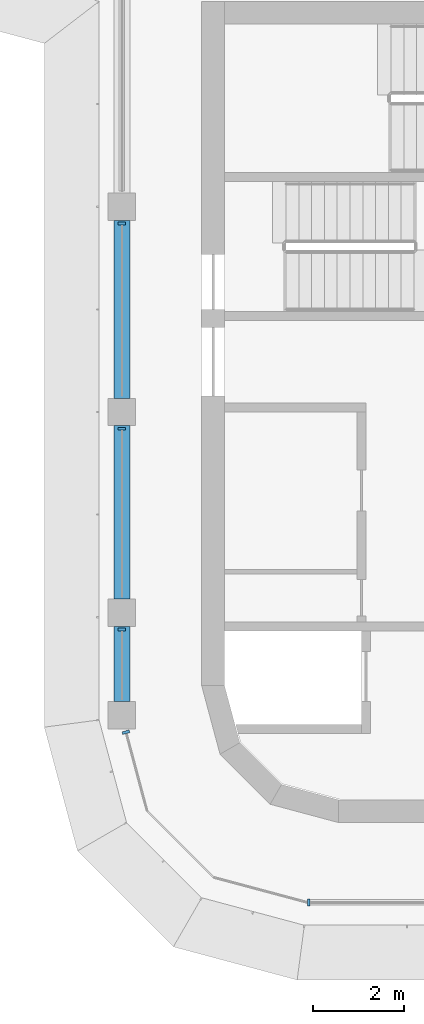
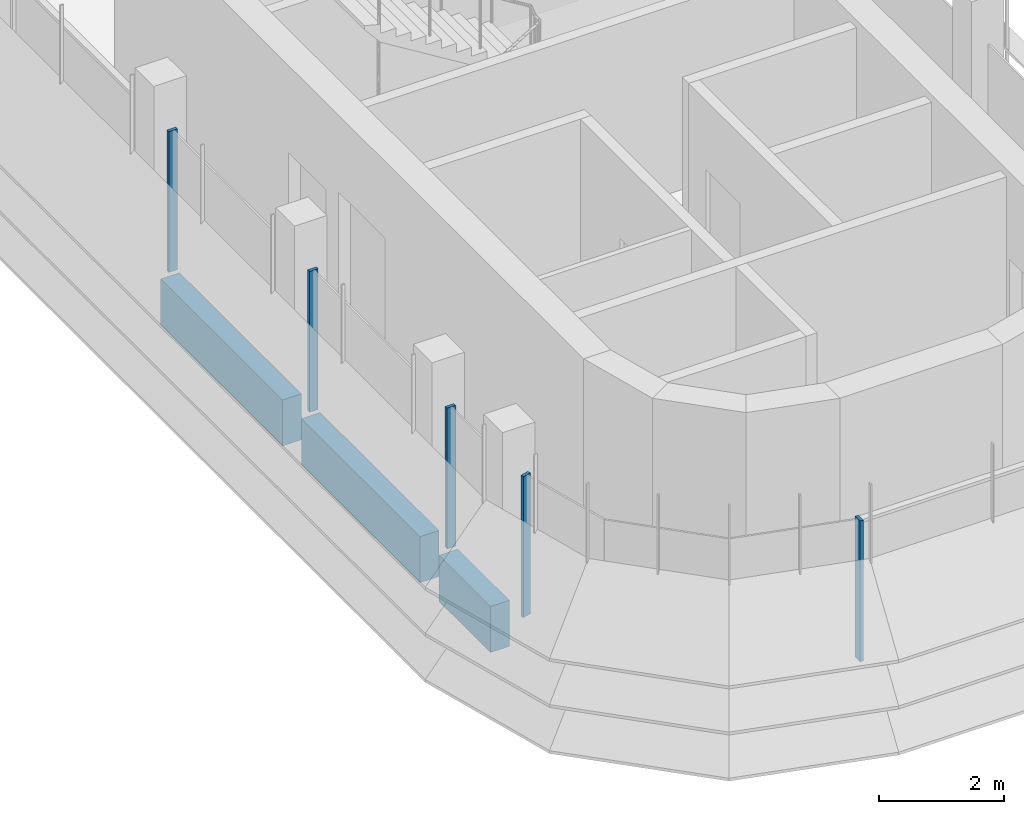
# One storey, part 2 of 19: 5 members, 3 beams, 3 elements without a shape of their own.
"""IFC4 building model written with IfcOpenShell, lengths in metres."""

import ifcopenshell
import ifcopenshell.guid

model = None  # the IFC model being written
_history = None  # IfcOwnerHistory: only IFC2X3 demands one
_inside = {}  # id of a spatial element -> (the spatial element, [elements in it])
_under = {}  # id of a project, library or spatial element -> (it, [spatial elements below it])
_declared = {}  # id of a project -> (the project, [libraries it declares])
_typed = {}  # id of a type object -> (the type object, [elements of that type])
_made_of = {}  # id of a material, layer set ... -> (it, [elements and type objects made of it])


def new_model(schema):
    """Start an empty IFC model of exactly this schema.

    Asked for "IFC4X3", IfcOpenShell would pick the latest addendum, in which some entities
    have other attributes; the version numbers below select the first issue.
    IFC2X3 requires an IfcOwnerHistory on every rooted entity: one is made here for all.
    """
    global model, _history
    if schema == "IFC4X3":
        model = ifcopenshell.file(schema_version=(4, 3, 0, 0))
    else:
        model = ifcopenshell.file(schema=schema)
    _inside.clear()
    _under.clear()
    _declared.clear()
    _typed.clear()
    _made_of.clear()
    _history = None
    if model.schema == "IFC2X3":
        org = make("IfcOrganization", Name="unknown")
        user = make(
            "IfcPersonAndOrganization",
            ThePerson=make("IfcPerson", FamilyName="unknown"),
            TheOrganization=org,
        )
        app = make(
            "IfcApplication",
            ApplicationDeveloper=org,
            Version="unknown",
            ApplicationFullName="unknown",
            ApplicationIdentifier="unknown",
        )
        _history = make(
            "IfcOwnerHistory",
            OwningUser=user,
            OwningApplication=app,
            ChangeAction="ADDED",
            CreationDate=0,
        )
    return model


def make(cls, **values):
    """One entity of the class cls with the attributes given. An attribute that is None is left unset."""
    return model.create_entity(
        cls, **{name: value for name, value in values.items() if value is not None}
    )


def rooted(cls, **values):
    """An entity with a GlobalId (a new one), such as an element, a storey or a relation."""
    return make(cls, GlobalId=ifcopenshell.guid.new(), OwnerHistory=_history, **values)


def si_unit(unit_type, name, prefix=None):
    """IfcSIUnit, for example si_unit("LENGTHUNIT", "METRE", prefix="MILLI")."""
    return make("IfcSIUnit", UnitType=unit_type, Prefix=prefix, Name=name)


def assignment(units):
    """IfcUnitAssignment: the units of a project."""
    return None if units is None else make("IfcUnitAssignment", Units=units)


def point(xyz):
    """IfcCartesianPoint."""
    return None if xyz is None else make("IfcCartesianPoint", Coordinates=xyz)


def direction(xyz):
    """IfcDirection."""
    return None if xyz is None else make("IfcDirection", DirectionRatios=xyz)


def frame(location, z_axis=None, x_axis=None):
    """IfcAxis2Placement3D, a coordinate frame: its origin and axes. An axis left out is left unset."""
    return make(
        "IfcAxis2Placement3D",
        Location=point(location),
        Axis=direction(z_axis),
        RefDirection=direction(x_axis),
    )


def frame_2d(location, x_axis=None):
    """IfcAxis2Placement2D, a coordinate frame in the plane: its origin and x axis."""
    return make(
        "IfcAxis2Placement2D", Location=point(location), RefDirection=direction(x_axis)
    )


def origin():
    """The frame at (0, 0, 0) with its axes left unset."""
    return frame((0.0, 0.0, 0.0))


def origin_2d():
    """The frame at (0, 0) in the plane with its x axis left unset."""
    return frame_2d((0.0, 0.0))


def place(relative_to, where):
    """IfcLocalPlacement: puts the frame where relative to a parent placement (None: the world)."""
    return make(
        "IfcLocalPlacement", PlacementRelTo=relative_to, RelativePlacement=where
    )


def context(
    kind, dimensions, precision=None, world=None, true_north=None, identifier=None
):
    """IfcGeometricRepresentationContext, for example the 3D "Model" context."""
    return make(
        "IfcGeometricRepresentationContext",
        ContextIdentifier=identifier,
        ContextType=kind,
        CoordinateSpaceDimension=dimensions,
        Precision=precision,
        WorldCoordinateSystem=world,
        TrueNorth=true_north,
    )


def subcontext(parent, identifier, kind, view, scale=None):
    """IfcGeometricRepresentationSubContext, for example "Body" below "Model"."""
    return make(
        "IfcGeometricRepresentationSubContext",
        ContextIdentifier=identifier,
        ContextType=kind,
        ParentContext=parent,
        TargetScale=scale,
        TargetView=view,
    )


def project(units=None, contexts=None):
    """IfcProject with its units and contexts."""
    return rooted(
        "IfcProject",
        Name="project",
        RepresentationContexts=contexts,
        UnitsInContext=assignment(units),
    )


def spatial(cls, under=None, at=None, **own):
    """A site, building, storey or space (cls), placed at a placement, below another one or the project."""
    s = rooted(cls, ObjectPlacement=at, **own)
    if under is not None:
        _under.setdefault(under.id(), (under, []))[1].append(s)
    return s


def polyline(points):
    """IfcPolyline through the points."""
    return make("IfcPolyline", Points=[point(p) for p in points])


def profile(cls, at=None, kind="AREA", **sizes):
    """A parametric profile (cls). Its sizes go by their IFC names, for example OverallWidth=200.0."""
    return make(cls, ProfileType=kind, Position=at, **sizes)


def rectangle(**sizes):
    """IfcRectangleProfileDef."""
    return profile("IfcRectangleProfileDef", **sizes)


def outline(outer, holes=None, kind="AREA"):
    """IfcArbitraryClosedProfileDef: a profile drawn as a closed curve; with holes, ...WithVoids."""
    if holes is None:
        return make("IfcArbitraryClosedProfileDef", ProfileType=kind, OuterCurve=outer)
    return make(
        "IfcArbitraryProfileDefWithVoids",
        ProfileType=kind,
        OuterCurve=outer,
        InnerCurves=holes,
    )


def extrude(swept, where, along, depth):
    """IfcExtrudedAreaSolid: the profile swept, set in the frame where, extruded along a direction by depth."""
    return make(
        "IfcExtrudedAreaSolid",
        SweptArea=swept,
        Position=where,
        ExtrudedDirection=direction(along),
        Depth=depth,
    )


def shape(context_of_items, identifier, shape_type, items):
    """IfcShapeRepresentation: the items that make up one representation, for example the "Body"."""
    return make(
        "IfcShapeRepresentation",
        ContextOfItems=context_of_items,
        RepresentationIdentifier=identifier,
        RepresentationType=shape_type,
        Items=items,
    )


def source(mapping_origin, context_of_items, identifier, shape_type, items):
    """IfcRepresentationMap: a shape defined once, which mapped items show again and again."""
    return make(
        "IfcRepresentationMap",
        MappingOrigin=mapping_origin,
        MappedRepresentation=shape(context_of_items, identifier, shape_type, items),
    )


def transform(
    local_origin,
    x_axis=None,
    y_axis=None,
    z_axis=None,
    scale=None,
    scale2=None,
    scale3=None,
    uniform=True,
):
    """IfcCartesianTransformationOperator3D, or its non-uniform kind. x_axis, y_axis, z_axis: its Axis1, 2, 3."""
    if uniform:
        return make(
            "IfcCartesianTransformationOperator3D",
            Axis1=direction(x_axis),
            Axis2=direction(y_axis),
            LocalOrigin=point(local_origin),
            Scale=scale,
            Axis3=direction(z_axis),
        )
    return make(
        "IfcCartesianTransformationOperator3DnonUniform",
        Axis1=direction(x_axis),
        Axis2=direction(y_axis),
        LocalOrigin=point(local_origin),
        Scale=scale,
        Axis3=direction(z_axis),
        Scale2=scale2,
        Scale3=scale3,
    )


def mapped(mapping_source, mapping_target):
    """IfcMappedItem: shows the shape of a source again, moved by a transform."""
    return make(
        "IfcMappedItem", MappingSource=mapping_source, MappingTarget=mapping_target
    )


def material(Name=None, Category=None):
    """IfcMaterial."""
    return make("IfcMaterial", Name=Name, Category=Category)


def material_profile(
    of_material, cross_section, Name=None, Category=None, Priority=None
):
    """IfcMaterialProfile: a cross section and its material."""
    return make(
        "IfcMaterialProfile",
        Name=Name,
        Material=of_material,
        Profile=cross_section,
        Priority=Priority,
        Category=Category,
    )


def profile_set(profiles, Name=None, composite=None):
    """IfcMaterialProfileSet."""
    return make(
        "IfcMaterialProfileSet",
        Name=Name,
        MaterialProfiles=profiles,
        CompositeProfile=composite,
    )


def made_of(thing, what):
    """Note that an element or type object is made of a material, layer set ...; save() writes the relation."""
    if what is not None:
        _made_of.setdefault(what.id(), (what, []))[1].append(thing)
    return thing


def type_object(cls, material=None, **own):
    """A type object (cls), such as IfcWallType, which elements share."""
    return made_of(rooted(cls, **own), material)


def element(
    cls,
    number,
    at=None,
    inside=None,
    cuts=None,
    type_object=None,
    material=None,
    context=None,
    identifier="Body",
    shape_type=None,
    held_by="IfcProductDefinitionShape",
    body=None,
    shapes=None,
    **own,
):
    """One element of the class cls, such as IfcWall. Its Tag is "e" and its number.

    at: its placement. inside: the storey or other place that contains it. cuts: it is an
    opening in that element (IfcRelVoidsElement). A single representation is given by context,
    identifier, shape_type and body (its items); several are given by shapes. held_by: the class
    of the entity that holds the representations. save() writes the other relations.
    """
    e = rooted(cls, Tag="e%d" % number, ObjectPlacement=at, **own)
    if body is not None:
        shapes = [shape(context, identifier, shape_type, body)]
    if shapes is not None:
        e.Representation = make(held_by, Representations=shapes)
    if inside is not None:
        _inside.setdefault(inside.id(), (inside, []))[1].append(e)
    if cuts is not None:
        rooted(
            "IfcRelVoidsElement", RelatingBuildingElement=cuts, RelatedOpeningElement=e
        )
    if type_object is not None:
        _typed.setdefault(type_object.id(), (type_object, []))[1].append(e)
    return made_of(e, material)


def aggregate(whole, parts):
    """IfcRelAggregates: a whole, such as a stair, and the parts it consists of."""
    return rooted("IfcRelAggregates", RelatingObject=whole, RelatedObjects=parts)


def save(model, path):
    """Write the relations noted so far, then the file.

    IfcRelAggregates (storeys below a building ...), IfcRelContainedInSpatialStructure (elements
    in a storey), IfcRelDefinesByType, IfcRelAssociatesMaterial and IfcRelDeclares: one each for
    every whole, place, type object, material and project.
    """
    for whole, parts in _under.values():
        aggregate(whole, parts)
    for where, things in _inside.values():
        rooted(
            "IfcRelContainedInSpatialStructure",
            RelatedElements=things,
            RelatingStructure=where,
        )
    for kind, things in _typed.values():
        rooted("IfcRelDefinesByType", RelatedObjects=things, RelatingType=kind)
    for what, things in _made_of.values():
        rooted("IfcRelAssociatesMaterial", RelatedObjects=things, RelatingMaterial=what)
    for by, libraries in _declared.values():
        rooted("IfcRelDeclares", RelatingContext=by, RelatedDefinitions=libraries)
    model.write(path)


model = new_model("IFC4")

# Units and contexts
model_context = context("Model", 3, precision=1e-05, world=origin(), true_north=direction((0.0, 1.0)))
body_context = subcontext(model_context, "Body", "Model", "MODEL_VIEW")
ifc_project = project(units=[si_unit("LENGTHUNIT", "METRE"), si_unit("AREAUNIT", "SQUARE_METRE"), si_unit("VOLUMEUNIT", "CUBIC_METRE"), si_unit("PLANEANGLEUNIT", "RADIAN"), si_unit("MASSUNIT", "GRAM", prefix="KILO")], contexts=[model_context])

# Site, building, storey
site_placement = place(None, origin())
site = spatial("IfcSite", under=ifc_project, at=site_placement, CompositionType="ELEMENT")
building_placement = place(site_placement, origin())
building = spatial("IfcBuilding", under=site, at=building_placement, Name="Zarbagh Exchange Tower", CompositionType="ELEMENT")
storey_placement = place(building_placement, frame((0.0, 0.0, 276.39990234375)))
storey = spatial("IfcBuildingStorey", under=building, at=storey_placement, Name="L68", CompositionType="ELEMENT", Elevation=276.39990234375)

# Beams
ifc_material_1 = material(Name="Concrete C40/50", Category="concrete")
ifc_material_profile = material_profile(ifc_material_1, rectangle(XDim=0.35009765625, YDim=0.89990234375, at=origin_2d()), Name="RC spandrel beam 350 x 900 C40/50")
ifc_profile_set = profile_set([ifc_material_profile], Name="Concrete C40/50")
beam_type = type_object("IfcBeamType", Name="RC spandrel beam 350 x 900 C40/50", PredefinedType="SPANDREL", material=ifc_profile_set)
beam_1_placement = place(storey_placement, frame((-6.25, -26.60009765625, -0.599853515625), z_axis=(0.0, 1.0, 0.0), x_axis=(-1.0, 0.0, 0.0)))
element("IfcBeam", 1, at=beam_1_placement, inside=storey, type_object=beam_type, Name="RC spandrel beam", PredefinedType="SPANDREL", context=body_context, shape_type="SweptSolid", body=[
    extrude(rectangle(XDim=0.35009765625, YDim=0.89990234375, at=origin_2d()), origin(), (0.0, 0.0, 1.0), 1.650146484375),
])
beam_2_placement = place(storey_placement, frame((-6.25, -24.35009765625, -0.599853515625), z_axis=(0.0, 1.0, 0.0), x_axis=(-1.0, 0.0, 0.0)))
element("IfcBeam", 2, at=beam_2_placement, inside=storey, type_object=beam_type, Name="RC spandrel beam", PredefinedType="SPANDREL", context=body_context, shape_type="SweptSolid", body=[
    extrude(rectangle(XDim=0.35009765625, YDim=0.89990234375, at=origin_2d()), origin(), (0.0, 0.0, 1.0), 3.800048828125),
])
beam_3_placement = place(storey_placement, frame((-6.25, -19.949951171875, -0.599853515625), z_axis=(0.0, 1.0, 0.0), x_axis=(-1.0, 0.0, 0.0)))
element("IfcBeam", 3, at=beam_3_placement, inside=storey, type_object=beam_type, Name="RC spandrel beam", PredefinedType="SPANDREL", context=body_context, shape_type="SweptSolid", body=[
    extrude(rectangle(XDim=0.35009765625, YDim=0.89990234375, at=origin_2d()), origin(), (0.0, 0.0, 1.0), 3.89990234375),
])

# Curtain wall, members
ifc_material_2 = material(Name="Anodised aluminium frame and glazing", Category="aluminium")
curtain_wall_type = type_object("IfcCurtainWallType", Name="CWB Ribbon glazing, upper zones", PredefinedType="NOTDEFINED", material=ifc_material_2)
curtain_wall_1_placement = place(storey_placement, origin())
curtain_wall_1 = element("IfcCurtainWall", 4, at=curtain_wall_1_placement, inside=storey, type_object=curtain_wall_type, Name="CWB53 curtain wall", PredefinedType="NOTDEFINED")
ifc_material_3 = material(Name="Anodised aluminium frame", Category="aluminium")
member_type = type_object("IfcMemberType", Name="MUB Mullion, anodised aluminium frame", PredefinedType="MULLION", material=ifc_material_3)
shared_shape = source(origin(), body_context, "Body", "SweptSolid", [
    extrude(outline(polyline([(0.0, -0.080078125), (0.06005859375, -0.080078125), (0.06005859375, 0.080078125), (0.0, 0.080078125), (0.0, -0.080078125)])), origin(), (0.0, 0.0, 1.0), 2.75),
])
placement = place(storey_placement, origin())
member_1 = element("IfcMember", 5, at=placement, type_object=member_type, Name="CWB53 mullion 2.1", PredefinedType="MULLION", context=body_context, shape_type="MappedRepresentation", body=[
    mapped(shared_shape, transform((-6.25, -16.090087890625, 0.0), x_axis=(0.0, -1.0, 0.0), y_axis=(1.0, 0.0, 0.0), z_axis=(0.0, 0.0, 1.0))),
])
member_2 = element("IfcMember", 6, at=placement, type_object=member_type, Name="CWB53 mullion 3.1", PredefinedType="MULLION", context=body_context, shape_type="MappedRepresentation", body=[
    mapped(shared_shape, transform((-6.25, -20.590087890625, 0.0), x_axis=(0.0, -1.0, 0.0), y_axis=(1.0, 0.0, 0.0), z_axis=(0.0, 0.0, 1.0))),
])
member_3 = element("IfcMember", 7, at=placement, type_object=member_type, Name="CWB53 mullion 4.1", PredefinedType="MULLION", context=body_context, shape_type="MappedRepresentation", body=[
    mapped(shared_shape, transform((-6.25, -24.989990234375, 0.0), x_axis=(0.0, -1.0, 0.0), y_axis=(1.0, 0.0, 0.0), z_axis=(0.0, 0.0, 1.0))),
])
aggregate(curtain_wall_1, [member_1, member_2, member_3])

# Curtain wall, member
curtain_wall_2_placement = place(storey_placement, origin())
curtain_wall_2 = element("IfcCurtainWall", 8, at=curtain_wall_2_placement, inside=storey, type_object=curtain_wall_type, Name="CWB54 curtain wall", PredefinedType="NOTDEFINED")
member_4 = element("IfcMember", 9, at=placement, type_object=member_type, Name="CWB54 mullion 1.1", PredefinedType="MULLION", context=body_context, shape_type="MappedRepresentation", body=[
    mapped(shared_shape, transform((-6.16796875, -27.239990234375, 0.0), x_axis=(0.258824779902, -0.965924289636, 0.0), y_axis=(0.965924289636, 0.258824779902, 0.0), z_axis=(0.0, 0.0, 1.0))),
])
aggregate(curtain_wall_2, [member_4])

curtain_wall_3_placement = place(storey_placement, origin())
curtain_wall_3 = element("IfcCurtainWall", 10, at=curtain_wall_3_placement, inside=storey, type_object=curtain_wall_type, Name="CWB57 curtain wall", PredefinedType="NOTDEFINED")
member_5 = element("IfcMember", 11, at=placement, type_object=member_type, Name="CWB57 mullion 1.1", PredefinedType="MULLION", context=body_context, shape_type="MappedRepresentation", body=[
    mapped(shared_shape, transform((-2.18408203125, -31.0, 0.0), x_axis=(1.0, 0.0, 0.0), y_axis=(0.0, 1.0, 0.0), z_axis=(0.0, 0.0, 1.0))),
])
aggregate(curtain_wall_3, [member_5])

save(model, "model.ifc")
